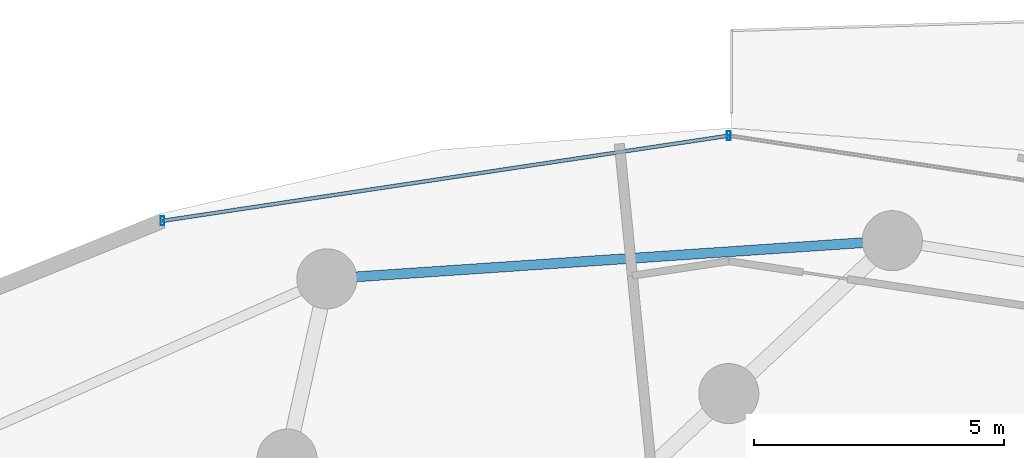
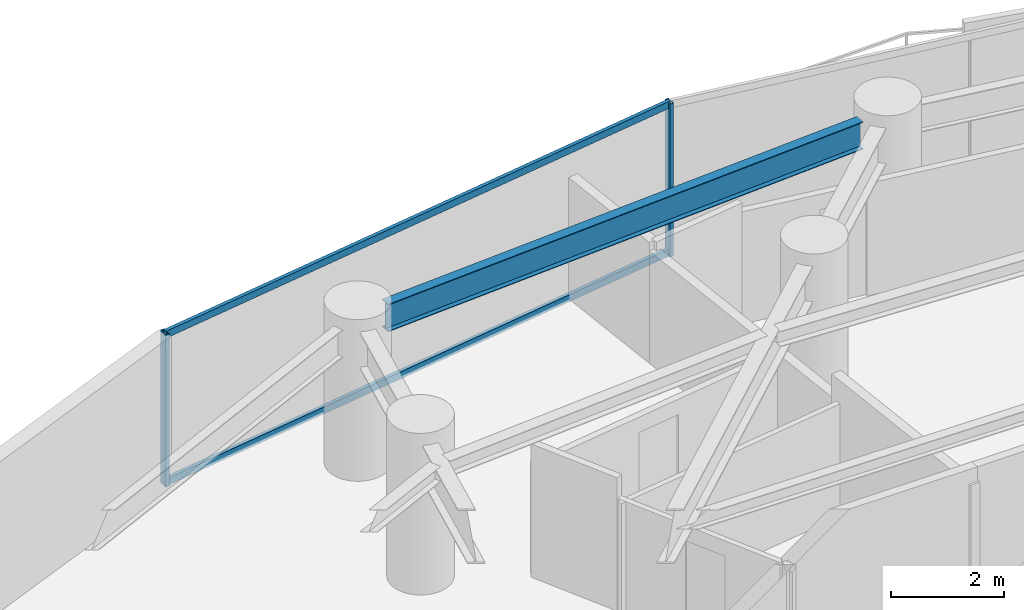
# One storey, part 18 of 30: 4 members, 1 beam, 1 element without a shape of its own.
"""IFC4 building model written with IfcOpenShell, lengths in metres."""

from ifc_helpers import new_model, si_unit, direction, frame, origin, origin_2d, place, context, subcontext, project, spatial, hollow_rectangle, i_section, extrude, material, material_profile, profile_set, type_object, element, aggregate, save


model = new_model("IFC4")

# Units and contexts
model_context = context("Model", 3, precision=1e-05, world=origin(), true_north=direction((0.0, 1.0)))
body_context = subcontext(model_context, "Body", "Model", "MODEL_VIEW")
ifc_project = project(units=[si_unit("LENGTHUNIT", "METRE"), si_unit("AREAUNIT", "SQUARE_METRE"), si_unit("VOLUMEUNIT", "CUBIC_METRE"), si_unit("PLANEANGLEUNIT", "RADIAN"), si_unit("MASSUNIT", "GRAM", prefix="KILO")], contexts=[model_context])

# Site, building, storey
site_placement = place(None, origin())
site = spatial("IfcSite", under=ifc_project, at=site_placement, CompositionType="ELEMENT")
building_placement = place(site_placement, origin())
building = spatial("IfcBuilding", under=site, at=building_placement, Name="Vorneva Point Tower", CompositionType="ELEMENT")
storey_placement = place(building_placement, frame((0.0, 0.0, 55.5)))
storey = spatial("IfcBuildingStorey", under=building, at=storey_placement, Name="L14", CompositionType="ELEMENT", Elevation=55.5)

# Beam
ifc_material_1 = material(Name="Steel S355", Category="steel")
ifc_material_profile_1 = material_profile(ifc_material_1, i_section(OverallWidth=0.198974609375, OverallDepth=0.595947265625, WebThickness=0.010009765625, FlangeThickness=0.014892578125, at=origin_2d()), Name="60B1")
ifc_profile_set_1 = profile_set([ifc_material_profile_1], Name="Steel S355")
beam_type = type_object("IfcBeamType", Name="BM-SPN-60B1", PredefinedType="SPANDREL", material=ifc_profile_set_1)
beam_placement = place(storey_placement, frame((40.681396484375, 46.213134765625, 2.94189453125), z_axis=(-0.997737743222, -0.067226451264, 0.0), x_axis=(0.067226451264, -0.997737743222, 0.0)))
element("IfcBeam", 1, at=beam_placement, inside=storey, type_object=beam_type, Name="L14 Perimeter Spandrel Ring Beam 05", PredefinedType="SPANDREL", context=body_context, shape_type="SweptSolid", body=[
    extrude(i_section(OverallWidth=0.198974609375, OverallDepth=0.595947265625, WebThickness=0.010009765625, FlangeThickness=0.014892578125, at=origin_2d()), origin(), (0.0, 0.0, 1.0), 10.146728515625),
])

# Curtain wall, members
ifc_material_2 = material(Name="Pale anodised aluminium", Category="aluminium")
curtain_wall_type = type_object("IfcCurtainWallType", Name="CW-HTL-SYS", PredefinedType="NOTDEFINED", material=ifc_material_2)
curtain_wall_placement = place(storey_placement, origin())
curtain_wall = element("IfcCurtainWall", 2, at=curtain_wall_placement, inside=storey, type_object=curtain_wall_type, Name="L14 Unitised Curtain Wall CW-L14-R02", PredefinedType="NOTDEFINED")
ifc_material_profile_2 = material_profile(ifc_material_2, hollow_rectangle(XDim=0.074951171875, YDim=0.179931640625, WallThickness=0.00390625, at=origin_2d()), Name="AL-MUL 180x75x4")
ifc_profile_set_2 = profile_set([ifc_material_profile_2], Name="Pale anodised aluminium")
member_type_1 = type_object("IfcMemberType", Name="CW-MUL-180", PredefinedType="MULLION", material=ifc_profile_set_2)
member_1_placement = place(storey_placement, frame((38.0, 48.35009765625, -0.0400390625), z_axis=(0.0, 0.0, 1.0), x_axis=(1.0, 0.0, 0.0)))
member_1 = element("IfcMember", 3, at=member_1_placement, type_object=member_type_1, Name="CW-L14-R02 Mullion 03", PredefinedType="MULLION", context=body_context, shape_type="SweptSolid", body=[
    extrude(hollow_rectangle(XDim=0.074951171875, YDim=0.179931640625, WallThickness=0.00390625, at=origin_2d()), origin(), (0.0, 0.0, 1.0), 3.31005859375),
])
member_2_placement = place(storey_placement, frame((26.691650390625, 46.648681640625, -0.0400390625), z_axis=(0.0, 0.0, 1.0), x_axis=(1.0, 0.0, 0.0)))
member_2 = element("IfcMember", 4, at=member_2_placement, type_object=member_type_1, Name="CW-L14-R02 Mullion 04", PredefinedType="MULLION", context=body_context, shape_type="SweptSolid", body=[
    extrude(hollow_rectangle(XDim=0.074951171875, YDim=0.179931640625, WallThickness=0.00390625, at=origin_2d()), origin(), (0.0, 0.0, 1.0), 3.31005859375),
])
ifc_material_profile_3 = material_profile(ifc_material_2, hollow_rectangle(XDim=0.074951171875, YDim=0.14990234375, WallThickness=0.00390625, at=origin_2d()), Name="AL-TRN 150x75x4")
ifc_profile_set_3 = profile_set([ifc_material_profile_3], Name="Pale anodised aluminium")
member_type_2 = type_object("IfcMemberType", Name="CW-TRN-150", PredefinedType="USERDEFINED", material=ifc_profile_set_3)
member_3_placement = place(storey_placement, frame((38.0, 48.35009765625, 0.02001953125), z_axis=(-0.988870014575, -0.148782036131, 0.0), x_axis=(0.148782036131, -0.988870014575, 0.0)))
member_3 = element("IfcMember", 5, at=member_3_placement, type_object=member_type_2, Name="CW-L14-R02 Transom 03.1", ObjectType="TRANSOM", PredefinedType="USERDEFINED", context=body_context, shape_type="SweptSolid", body=[
    extrude(hollow_rectangle(XDim=0.074951171875, YDim=0.14990234375, WallThickness=0.00390625, at=origin_2d()), origin(), (0.0, 0.0, 1.0), 11.435546875),
])
member_4_placement = place(storey_placement, frame((38.0, 48.35009765625, 3.219970703125), z_axis=(-0.988870014575, -0.148782036131, 0.0), x_axis=(0.148782036131, -0.988870014575, 0.0)))
member_4 = element("IfcMember", 6, at=member_4_placement, type_object=member_type_2, Name="CW-L14-R02 Transom 03.2", ObjectType="TRANSOM", PredefinedType="USERDEFINED", context=body_context, shape_type="SweptSolid", body=[
    extrude(hollow_rectangle(XDim=0.074951171875, YDim=0.14990234375, WallThickness=0.00390625, at=origin_2d()), origin(), (0.0, 0.0, 1.0), 11.435546875),
])
aggregate(curtain_wall, [member_1, member_2, member_3, member_4])

save(model, "model.ifc")
